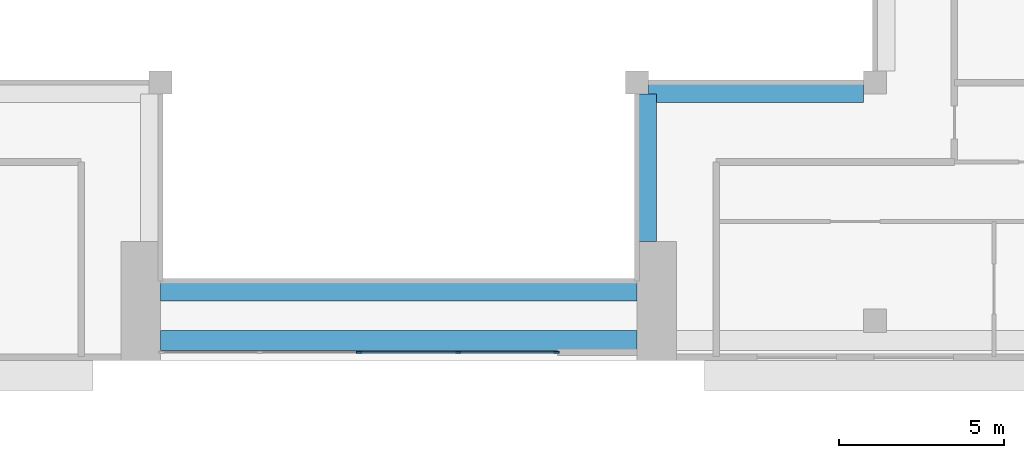
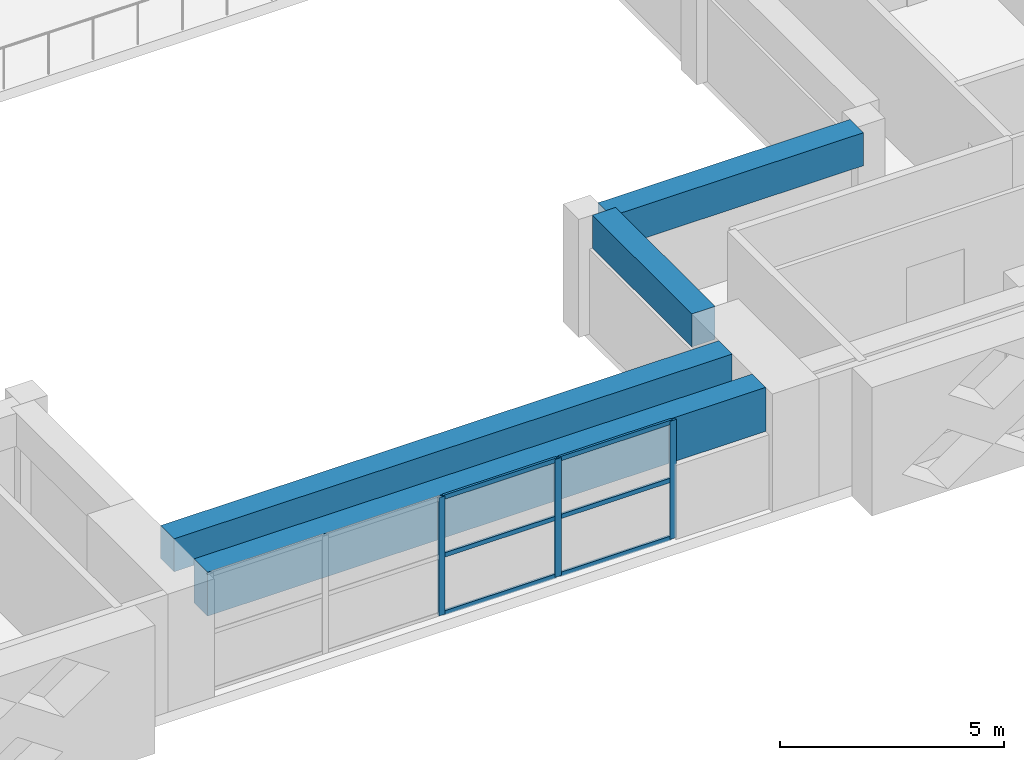
# One storey, part 4 of 18: 9 members, 4 beams, 1 element without a shape of its own.
"""IFC4 building model written with IfcOpenShell, lengths in metres."""

from ifc_helpers import new_model, si_unit, direction, frame, origin, origin_2d, place, context, subcontext, project, spatial, rectangle, extrude, source, transform, mapped, material, layer, layer_set, material_profile, profile_set, type_object, element, aggregate, save


model = new_model("IFC4")

# Units and contexts
model_context = context("Model", 3, precision=1e-05, world=origin(), true_north=direction((0.0, 1.0)))
body_context = subcontext(model_context, "Body", "Model", "MODEL_VIEW")
ifc_project = project(units=[si_unit("LENGTHUNIT", "METRE"), si_unit("AREAUNIT", "SQUARE_METRE"), si_unit("VOLUMEUNIT", "CUBIC_METRE"), si_unit("PLANEANGLEUNIT", "RADIAN"), si_unit("MASSUNIT", "GRAM", prefix="KILO")], contexts=[model_context])

# Site, building, storey
site_placement = place(None, origin())
site = spatial("IfcSite", under=ifc_project, at=site_placement, CompositionType="ELEMENT")
building_placement = place(site_placement, origin())
building = spatial("IfcBuilding", under=site, at=building_placement, Name="Saffron Iwan Residences", CompositionType="ELEMENT")
storey_placement = place(building_placement, frame((0.0, 0.0, 257.0)))
storey = spatial("IfcBuildingStorey", under=building, at=storey_placement, Name="L69", CompositionType="ELEMENT", Elevation=257.0)

# Beams
ifc_material_1 = material(Name="Concrete C40/50", Category="concrete")
ifc_material_profile_1 = material_profile(ifc_material_1, rectangle(XDim=0.60009765625, YDim=1.199951171875, at=origin_2d()), Name="RC 600x1200")
ifc_profile_set_1 = profile_set([ifc_material_profile_1], Name="Concrete C40/50")
beam_type_1 = type_object("IfcBeamType", Name="LINTEL BEAM RC 600x1200 C40/50 TOP 3220", PredefinedType="LINTEL", material=ifc_profile_set_1)
shared_shape_1 = source(origin(), body_context, "Body", "SweptSolid", [
    extrude(rectangle(XDim=0.60009765625, YDim=1.199951171875, at=origin_2d()), origin(), (0.0, 0.0, 1.0), 14.400146484375),
])
beam_1_placement = place(storey_placement, frame((57.60009765625, 40.199951171875, 2.6201171875), z_axis=(-1.0, 0.0, 0.0), x_axis=(0.0, -1.0, 0.0)))
element("IfcBeam", 1, at=beam_1_placement, inside=storey, type_object=beam_type_1, Name="Lintel beam over the iwan", PredefinedType="LINTEL", context=body_context, shape_type="MappedRepresentation", body=[
    mapped(shared_shape_1, transform((0.0, 0.0, 0.0))),
])
ifc_material_profile_2 = material_profile(ifc_material_1, rectangle(XDim=0.60009765625, YDim=0.89990234375, at=origin_2d()), Name="RC 600x900")
ifc_profile_set_2 = profile_set([ifc_material_profile_2], Name="Concrete C40/50")
beam_type_2 = type_object("IfcBeamType", Name="BEAM RC 600x900 C40/50 TOP 3220", PredefinedType="BEAM", material=ifc_profile_set_2)
shared_shape_2 = source(origin(), body_context, "Body", "SweptSolid", [
    extrude(rectangle(XDim=0.60009765625, YDim=0.89990234375, at=origin_2d()), origin(), (0.0, 0.0, 1.0), 14.400146484375),
])
beam_2_placement = place(storey_placement, frame((57.60009765625, 41.699951171875, 2.77001953125), z_axis=(-1.0, 0.0, 0.0), x_axis=(0.0, -1.0, 0.0)))
element("IfcBeam", 2, at=beam_2_placement, inside=storey, type_object=beam_type_2, Name="Atrium edge beam", PredefinedType="BEAM", context=body_context, shape_type="MappedRepresentation", body=[
    mapped(shared_shape_2, transform((0.0, 0.0, 0.0))),
])
shared_shape_3 = source(origin(), body_context, "Body", "SweptSolid", [
    extrude(rectangle(XDim=0.60009765625, YDim=0.89990234375, at=origin_2d()), origin(), (0.0, 0.0, 1.0), 4.449951171875),
])
beam_3_placement = place(storey_placement, frame((57.89990234375, 47.64990234375, 2.77001953125), z_axis=(0.0, -1.0, 0.0), x_axis=(1.0, 0.0, 0.0)))
element("IfcBeam", 3, at=beam_3_placement, inside=storey, type_object=beam_type_2, Name="Atrium edge beam", PredefinedType="BEAM", context=body_context, shape_type="MappedRepresentation", body=[
    mapped(shared_shape_3, transform((0.0, 0.0, 0.0))),
])
shared_shape_4 = source(origin(), body_context, "Body", "SweptSolid", [
    extrude(rectangle(XDim=0.60009765625, YDim=0.89990234375, at=origin_2d()), origin(), (0.0, 0.0, 1.0), 6.5),
])
beam_4_placement = place(storey_placement, frame((64.449951171875, 47.699951171875, 2.77001953125), z_axis=(-1.0, 0.0, 0.0), x_axis=(0.0, -1.0, 0.0)))
element("IfcBeam", 4, at=beam_4_placement, inside=storey, type_object=beam_type_2, Name="Atrium edge beam", PredefinedType="BEAM", context=body_context, shape_type="MappedRepresentation", body=[
    mapped(shared_shape_4, transform((0.0, 0.0, 0.0))),
])

# Curtain wall, members
ifc_material_2 = material(Name="Clear glass, laminated double glazed", Category="glass")
ifc_layer = layer(ifc_material_2, 0.199951171875)
ifc_layer_set = layer_set([ifc_layer], Name="Clear glass, laminated double glazed")
curtain_wall_type = type_object("IfcCurtainWallType", Name="CW-B IWAN PORTAL", PredefinedType="NOTDEFINED", material=ifc_layer_set)
curtain_wall_placement = place(storey_placement, origin())
curtain_wall = element("IfcCurtainWall", 5, at=curtain_wall_placement, inside=storey, type_object=curtain_wall_type, Name="Iwan portal glazing L69.1", PredefinedType="NOTDEFINED")
ifc_material_3 = material(Name="Aluminium 6063-T6", Category="aluminium")
ifc_material_profile_3 = material_profile(ifc_material_3, rectangle(XDim=0.06005859375, YDim=0.1201171875, at=origin_2d()), Name="CW-B TRANSOM 60 x 120")
ifc_profile_set_3 = profile_set([ifc_material_profile_3], Name="Aluminium 6063-T6")
member_type_1 = type_object("IfcMemberType", Name="CW-B TRANSOM 60 x 120", PredefinedType="USERDEFINED", material=ifc_profile_set_3)
shared_shape_5 = source(origin(), body_context, "Body", "SweptSolid", [
    extrude(rectangle(XDim=0.06005859375, YDim=0.1201171875, at=origin_2d()), origin(), (0.0, 0.0, 1.0), 2.909912109375),
])
member_1_placement = place(storey_placement, frame((52.22998046875, 39.85009765625, 0.030029296875), z_axis=(1.0, 0.0, 0.0), x_axis=(0.0, 1.0, 0.0)))
member_1 = element("IfcMember", 6, at=member_1_placement, type_object=member_type_1, Name="CW-B transom 4.1", ObjectType="TRANSOM", PredefinedType="USERDEFINED", context=body_context, shape_type="MappedRepresentation", body=[
    mapped(shared_shape_5, transform((0.0, 0.0, 0.0))),
])
member_2_placement = place(storey_placement, frame((52.22998046875, 39.85009765625, 1.610107421875), z_axis=(1.0, 0.0, 0.0), x_axis=(0.0, 1.0, 0.0)))
member_2 = element("IfcMember", 7, at=member_2_placement, type_object=member_type_1, Name="CW-B transom 4.2", ObjectType="TRANSOM", PredefinedType="USERDEFINED", context=body_context, shape_type="MappedRepresentation", body=[
    mapped(shared_shape_5, transform((0.0, 0.0, 0.0))),
])
member_3_placement = place(storey_placement, frame((52.22998046875, 39.85009765625, 3.18994140625), z_axis=(1.0, 0.0, 0.0), x_axis=(0.0, 1.0, 0.0)))
member_3 = element("IfcMember", 8, at=member_3_placement, type_object=member_type_1, Name="CW-B transom 4.3", ObjectType="TRANSOM", PredefinedType="USERDEFINED", context=body_context, shape_type="MappedRepresentation", body=[
    mapped(shared_shape_5, transform((0.0, 0.0, 0.0))),
])
shared_shape_6 = source(origin(), body_context, "Body", "SweptSolid", [
    extrude(rectangle(XDim=0.06005859375, YDim=0.1201171875, at=origin_2d()), origin(), (0.0, 0.0, 1.0), 2.93994140625),
])
member_4_placement = place(storey_placement, frame((49.22998046875, 39.85009765625, 0.030029296875), z_axis=(1.0, 0.0, 0.0), x_axis=(0.0, 1.0, 0.0)))
member_4 = element("IfcMember", 9, at=member_4_placement, type_object=member_type_1, Name="CW-B transom 3.1", ObjectType="TRANSOM", PredefinedType="USERDEFINED", context=body_context, shape_type="MappedRepresentation", body=[
    mapped(shared_shape_6, transform((0.0, 0.0, 0.0))),
])
member_5_placement = place(storey_placement, frame((49.22998046875, 39.85009765625, 1.610107421875), z_axis=(1.0, 0.0, 0.0), x_axis=(0.0, 1.0, 0.0)))
member_5 = element("IfcMember", 10, at=member_5_placement, type_object=member_type_1, Name="CW-B transom 3.2", ObjectType="TRANSOM", PredefinedType="USERDEFINED", context=body_context, shape_type="MappedRepresentation", body=[
    mapped(shared_shape_6, transform((0.0, 0.0, 0.0))),
])
member_6_placement = place(storey_placement, frame((49.22998046875, 39.85009765625, 3.18994140625), z_axis=(1.0, 0.0, 0.0), x_axis=(0.0, 1.0, 0.0)))
member_6 = element("IfcMember", 11, at=member_6_placement, type_object=member_type_1, Name="CW-B transom 3.3", ObjectType="TRANSOM", PredefinedType="USERDEFINED", context=body_context, shape_type="MappedRepresentation", body=[
    mapped(shared_shape_6, transform((0.0, 0.0, 0.0))),
])
ifc_material_profile_4 = material_profile(ifc_material_3, rectangle(XDim=0.06005859375, YDim=0.159912109375, at=origin_2d()), Name="CW-B MULLION 60 x 160")
ifc_profile_set_4 = profile_set([ifc_material_profile_4], Name="Aluminium 6063-T6")
member_type_2 = type_object("IfcMemberType", Name="CW-B MULLION 60 x 160", PredefinedType="MULLION", material=ifc_profile_set_4)
shared_shape_7 = source(origin(), body_context, "Body", "SweptSolid", [
    extrude(rectangle(XDim=0.06005859375, YDim=0.159912109375, at=origin_2d()), origin(), (0.0, 0.0, 1.0), 3.219970703125),
])
member_7_placement = place(storey_placement, frame((49.199951171875, 39.85009765625, 0.0), z_axis=(0.0, 0.0, 1.0), x_axis=(0.0, 1.0, 0.0)))
member_7 = element("IfcMember", 12, at=member_7_placement, type_object=member_type_2, Name="CW-B mullion 3", PredefinedType="MULLION", context=body_context, shape_type="MappedRepresentation", body=[
    mapped(shared_shape_7, transform((0.0, 0.0, 0.0))),
])
member_8_placement = place(storey_placement, frame((52.199951171875, 39.85009765625, 0.0), z_axis=(0.0, 0.0, 1.0), x_axis=(0.0, 1.0, 0.0)))
member_8 = element("IfcMember", 13, at=member_8_placement, type_object=member_type_2, Name="CW-B mullion 4", PredefinedType="MULLION", context=body_context, shape_type="MappedRepresentation", body=[
    mapped(shared_shape_7, transform((0.0, 0.0, 0.0))),
])
member_9_placement = place(storey_placement, frame((55.169921875, 39.85009765625, 0.0), z_axis=(0.0, 0.0, 1.0), x_axis=(0.0, 1.0, 0.0)))
member_9 = element("IfcMember", 14, at=member_9_placement, type_object=member_type_2, Name="CW-B mullion 5", PredefinedType="MULLION", context=body_context, shape_type="MappedRepresentation", body=[
    mapped(shared_shape_7, transform((0.0, 0.0, 0.0))),
])
aggregate(curtain_wall, [member_7, member_8, member_9, member_4, member_5, member_6, member_1, member_2, member_3])

save(model, "model.ifc")
